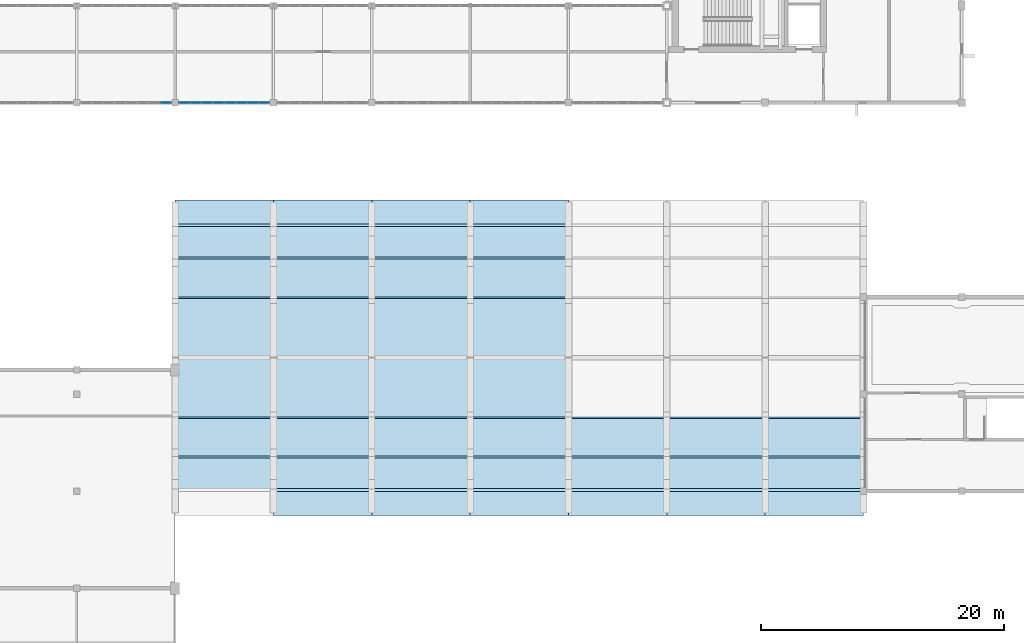
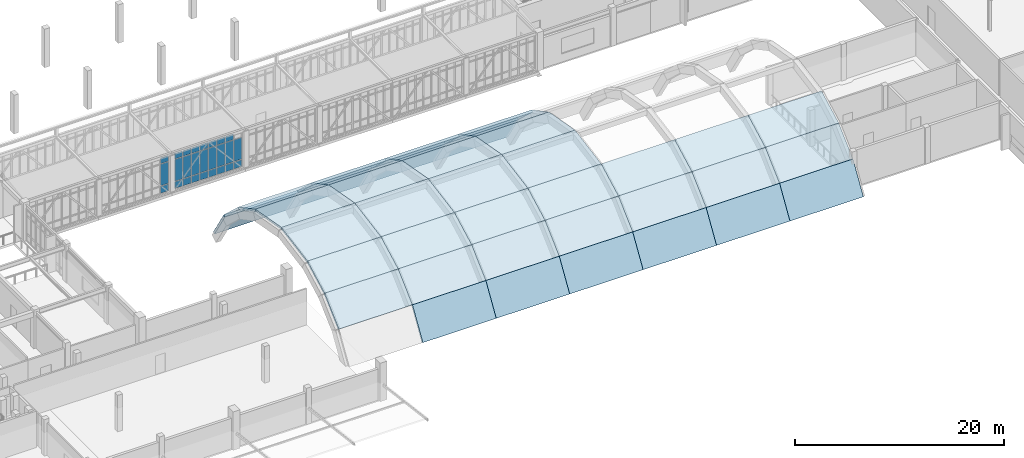
# One storey, part 36 of 67: 40 slabs, 26 plates, 2 elements without a shape of their own.
"""IFC4 building model written with IfcOpenShell, lengths in metres."""

from ifc_helpers import new_model, si_unit, direction, frame, origin, origin_2d, place, context, subcontext, project, spatial, polyline, rectangle, outline, extrude, material, layer, layer_set, type_object, element, aggregate, save


model = new_model("IFC4")

# Units and contexts
model_context = context("Model", 3, precision=1e-05, world=origin(), true_north=direction((0.0, 1.0)))
body_context = subcontext(model_context, "Body", "Model", "MODEL_VIEW")
ifc_project = project(units=[si_unit("LENGTHUNIT", "METRE"), si_unit("AREAUNIT", "SQUARE_METRE"), si_unit("VOLUMEUNIT", "CUBIC_METRE"), si_unit("PLANEANGLEUNIT", "RADIAN"), si_unit("MASSUNIT", "GRAM", prefix="KILO")], contexts=[model_context])

# Site, building, storey
site_placement = place(None, origin())
site = spatial("IfcSite", under=ifc_project, at=site_placement, CompositionType="ELEMENT")
building_placement = place(site_placement, origin())
building = spatial("IfcBuilding", under=site, at=building_placement, Name="Tarnveldt Square Police Headquarters", CompositionType="ELEMENT")
storey_placement = place(building_placement, frame((0.0, 0.0, 10.199951171875)))
storey = spatial("IfcBuildingStorey", under=building, at=storey_placement, Name="L02", CompositionType="ELEMENT", Elevation=10.199951171875)

# Curtain wall, plates
ifc_material_1 = material(Name="Triple-glazed low-e laminated vision glass", Category="glass")
curtain_wall_type = type_object("IfcCurtainWallType", Name="CW-SB-752x424", PredefinedType="USERDEFINED", material=ifc_material_1)
curtain_wall_1_placement = place(storey_placement, origin())
curtain_wall_1 = element("IfcCurtainWall", 1, at=curtain_wall_1_placement, inside=storey, type_object=curtain_wall_type, Name="L02 Curtain Wall CW-L02-139", ObjectType="GLAZED CURTAIN WALL", PredefinedType="USERDEFINED")
ifc_layer_1 = layer(ifc_material_1, 0.028076171875)
ifc_layer_set_1 = layer_set([ifc_layer_1], Name="Triple-glazed low-e laminated vision glass")
plate_type = type_object("IfcPlateType", Name="CWP-VIS-28", PredefinedType="CURTAIN_PANEL", material=ifc_layer_set_1)
plate_1_placement = place(storey_placement, frame((64.023681640625, 56.0, 0.06494140625), z_axis=(0.0, 0.0, 1.0), x_axis=(1.0, 0.0, 0.0)))
plate_1 = element("IfcPlate", 2, at=plate_1_placement, type_object=plate_type, Name="CW-SB86 panel 8.1", PredefinedType="CURTAIN_PANEL", context=body_context, shape_type="SweptSolid", body=[
    extrude(rectangle(XDim=0.842529296875, YDim=0.028076171875, at=origin_2d()), origin(), (0.0, 0.0, 1.0), 0.802490234375),
])
plate_2_placement = place(storey_placement, frame((64.023681640625, 56.0, 0.9326171875), z_axis=(0.0, 0.0, 1.0), x_axis=(1.0, 0.0, 0.0)))
plate_2 = element("IfcPlate", 3, at=plate_2_placement, type_object=plate_type, Name="CW-SB86 panel 8.2", PredefinedType="CURTAIN_PANEL", context=body_context, shape_type="SweptSolid", body=[
    extrude(rectangle(XDim=0.842529296875, YDim=0.028076171875, at=origin_2d()), origin(), (0.0, 0.0, 1.0), 2.52490234375),
])
plate_3_placement = place(storey_placement, frame((64.023681640625, 56.0, 3.5224609375), z_axis=(0.0, 0.0, 1.0), x_axis=(1.0, 0.0, 0.0)))
plate_3 = element("IfcPlate", 4, at=plate_3_placement, type_object=plate_type, Name="CW-SB86 panel 8.3", PredefinedType="CURTAIN_PANEL", context=body_context, shape_type="SweptSolid", body=[
    extrude(rectangle(XDim=0.842529296875, YDim=0.028076171875, at=origin_2d()), origin(), (0.0, 0.0, 1.0), 0.652587890625),
])
aggregate(curtain_wall_1, [plate_1, plate_2, plate_3])

curtain_wall_2_placement = place(storey_placement, origin())
curtain_wall_2 = element("IfcCurtainWall", 5, at=curtain_wall_2_placement, inside=storey, type_object=curtain_wall_type, Name="L02 Curtain Wall CW-L02-140", ObjectType="GLAZED CURTAIN WALL", PredefinedType="USERDEFINED")
plate_4_placement = place(storey_placement, frame((65.576171875, 56.0, 0.06494140625), z_axis=(0.0, 0.0, 1.0), x_axis=(1.0, 0.0, 0.0)))
plate_4 = element("IfcPlate", 6, at=plate_4_placement, type_object=plate_type, Name="CW-SB86 panel 1.1", PredefinedType="CURTAIN_PANEL", context=body_context, shape_type="SweptSolid", body=[
    extrude(rectangle(XDim=0.842529296875, YDim=0.028076171875, at=origin_2d()), origin(), (0.0, 0.0, 1.0), 0.802490234375),
])
plate_5_placement = place(storey_placement, frame((65.576171875, 56.0, 0.9326171875), z_axis=(0.0, 0.0, 1.0), x_axis=(1.0, 0.0, 0.0)))
plate_5 = element("IfcPlate", 7, at=plate_5_placement, type_object=plate_type, Name="CW-SB86 panel 1.2", PredefinedType="CURTAIN_PANEL", context=body_context, shape_type="SweptSolid", body=[
    extrude(rectangle(XDim=0.842529296875, YDim=0.028076171875, at=origin_2d()), origin(), (0.0, 0.0, 1.0), 2.52490234375),
])
plate_6_placement = place(storey_placement, frame((65.576171875, 56.0, 3.5224609375), z_axis=(0.0, 0.0, 1.0), x_axis=(1.0, 0.0, 0.0)))
plate_6 = element("IfcPlate", 8, at=plate_6_placement, type_object=plate_type, Name="CW-SB86 panel 1.3", PredefinedType="CURTAIN_PANEL", context=body_context, shape_type="SweptSolid", body=[
    extrude(rectangle(XDim=0.842529296875, YDim=0.028076171875, at=origin_2d()), origin(), (0.0, 0.0, 1.0), 0.652587890625),
])
plate_7_placement = place(storey_placement, frame((66.5, 56.0, 0.06494140625), z_axis=(0.0, 0.0, 1.0), x_axis=(1.0, 0.0, 0.0)))
plate_7 = element("IfcPlate", 9, at=plate_7_placement, type_object=plate_type, Name="CW-SB86 panel 2.1", PredefinedType="CURTAIN_PANEL", context=body_context, shape_type="SweptSolid", body=[
    extrude(rectangle(XDim=0.875, YDim=0.028076171875, at=origin_2d()), origin(), (0.0, 0.0, 1.0), 0.802490234375),
])
plate_8_placement = place(storey_placement, frame((66.5, 56.0, 0.9326171875), z_axis=(0.0, 0.0, 1.0), x_axis=(1.0, 0.0, 0.0)))
plate_8 = element("IfcPlate", 10, at=plate_8_placement, type_object=plate_type, Name="CW-SB86 panel 2.2", PredefinedType="CURTAIN_PANEL", context=body_context, shape_type="SweptSolid", body=[
    extrude(rectangle(XDim=0.875, YDim=0.028076171875, at=origin_2d()), origin(), (0.0, 0.0, 1.0), 2.52490234375),
])
plate_9_placement = place(storey_placement, frame((66.5, 56.0, 3.5224609375), z_axis=(0.0, 0.0, 1.0), x_axis=(1.0, 0.0, 0.0)))
plate_9 = element("IfcPlate", 11, at=plate_9_placement, type_object=plate_type, Name="CW-SB86 panel 2.3", PredefinedType="CURTAIN_PANEL", context=body_context, shape_type="SweptSolid", body=[
    extrude(rectangle(XDim=0.875, YDim=0.028076171875, at=origin_2d()), origin(), (0.0, 0.0, 1.0), 0.652587890625),
])
plate_10_placement = place(storey_placement, frame((67.43994140625, 56.0, 0.06494140625), z_axis=(0.0, 0.0, 1.0), x_axis=(1.0, 0.0, 0.0)))
plate_10 = element("IfcPlate", 12, at=plate_10_placement, type_object=plate_type, Name="CW-SB86 panel 3.1", PredefinedType="CURTAIN_PANEL", context=body_context, shape_type="SweptSolid", body=[
    extrude(rectangle(XDim=0.875, YDim=0.028076171875, at=origin_2d()), origin(), (0.0, 0.0, 1.0), 0.802490234375),
])
plate_11_placement = place(storey_placement, frame((67.43994140625, 56.0, 0.9326171875), z_axis=(0.0, 0.0, 1.0), x_axis=(1.0, 0.0, 0.0)))
plate_11 = element("IfcPlate", 13, at=plate_11_placement, type_object=plate_type, Name="CW-SB86 panel 3.2", PredefinedType="CURTAIN_PANEL", context=body_context, shape_type="SweptSolid", body=[
    extrude(rectangle(XDim=0.875, YDim=0.028076171875, at=origin_2d()), origin(), (0.0, 0.0, 1.0), 2.52490234375),
])
plate_12_placement = place(storey_placement, frame((67.43994140625, 56.0, 3.5224609375), z_axis=(0.0, 0.0, 1.0), x_axis=(1.0, 0.0, 0.0)))
plate_12 = element("IfcPlate", 14, at=plate_12_placement, type_object=plate_type, Name="CW-SB86 panel 3.3", PredefinedType="CURTAIN_PANEL", context=body_context, shape_type="SweptSolid", body=[
    extrude(rectangle(XDim=0.875, YDim=0.028076171875, at=origin_2d()), origin(), (0.0, 0.0, 1.0), 0.652587890625),
])
plate_13_placement = place(storey_placement, frame((68.3798828125, 56.0, 0.06494140625), z_axis=(0.0, 0.0, 1.0), x_axis=(1.0, 0.0, 0.0)))
plate_13 = element("IfcPlate", 15, at=plate_13_placement, type_object=plate_type, Name="CW-SB86 panel 4.1", PredefinedType="CURTAIN_PANEL", context=body_context, shape_type="SweptSolid", body=[
    extrude(rectangle(XDim=0.875, YDim=0.028076171875, at=origin_2d()), origin(), (0.0, 0.0, 1.0), 0.802490234375),
])
plate_14_placement = place(storey_placement, frame((68.3798828125, 56.0, 0.9326171875), z_axis=(0.0, 0.0, 1.0), x_axis=(1.0, 0.0, 0.0)))
plate_14 = element("IfcPlate", 16, at=plate_14_placement, type_object=plate_type, Name="CW-SB86 panel 4.2", PredefinedType="CURTAIN_PANEL", context=body_context, shape_type="SweptSolid", body=[
    extrude(rectangle(XDim=0.875, YDim=0.028076171875, at=origin_2d()), origin(), (0.0, 0.0, 1.0), 2.52490234375),
])
plate_15_placement = place(storey_placement, frame((68.3798828125, 56.0, 3.5224609375), z_axis=(0.0, 0.0, 1.0), x_axis=(1.0, 0.0, 0.0)))
plate_15 = element("IfcPlate", 17, at=plate_15_placement, type_object=plate_type, Name="CW-SB86 panel 4.3", PredefinedType="CURTAIN_PANEL", context=body_context, shape_type="SweptSolid", body=[
    extrude(rectangle(XDim=0.875, YDim=0.028076171875, at=origin_2d()), origin(), (0.0, 0.0, 1.0), 0.652587890625),
])
plate_16_placement = place(storey_placement, frame((69.320068359375, 56.0, 0.06494140625), z_axis=(0.0, 0.0, 1.0), x_axis=(1.0, 0.0, 0.0)))
plate_16 = element("IfcPlate", 18, at=plate_16_placement, type_object=plate_type, Name="CW-SB86 panel 5.1", PredefinedType="CURTAIN_PANEL", context=body_context, shape_type="SweptSolid", body=[
    extrude(rectangle(XDim=0.875, YDim=0.028076171875, at=origin_2d()), origin(), (0.0, 0.0, 1.0), 0.802490234375),
])
plate_17_placement = place(storey_placement, frame((69.320068359375, 56.0, 0.9326171875), z_axis=(0.0, 0.0, 1.0), x_axis=(1.0, 0.0, 0.0)))
plate_17 = element("IfcPlate", 19, at=plate_17_placement, type_object=plate_type, Name="CW-SB86 panel 5.2", PredefinedType="CURTAIN_PANEL", context=body_context, shape_type="SweptSolid", body=[
    extrude(rectangle(XDim=0.875, YDim=0.028076171875, at=origin_2d()), origin(), (0.0, 0.0, 1.0), 2.52490234375),
])
plate_18_placement = place(storey_placement, frame((69.320068359375, 56.0, 3.5224609375), z_axis=(0.0, 0.0, 1.0), x_axis=(1.0, 0.0, 0.0)))
plate_18 = element("IfcPlate", 20, at=plate_18_placement, type_object=plate_type, Name="CW-SB86 panel 5.3", PredefinedType="CURTAIN_PANEL", context=body_context, shape_type="SweptSolid", body=[
    extrude(rectangle(XDim=0.875, YDim=0.028076171875, at=origin_2d()), origin(), (0.0, 0.0, 1.0), 0.652587890625),
])
plate_19_placement = place(storey_placement, frame((70.260009765625, 56.0, 0.06494140625), z_axis=(0.0, 0.0, 1.0), x_axis=(1.0, 0.0, 0.0)))
plate_19 = element("IfcPlate", 21, at=plate_19_placement, type_object=plate_type, Name="CW-SB86 panel 6.1", PredefinedType="CURTAIN_PANEL", context=body_context, shape_type="SweptSolid", body=[
    extrude(rectangle(XDim=0.875, YDim=0.028076171875, at=origin_2d()), origin(), (0.0, 0.0, 1.0), 0.802490234375),
])
plate_20_placement = place(storey_placement, frame((70.260009765625, 56.0, 0.9326171875), z_axis=(0.0, 0.0, 1.0), x_axis=(1.0, 0.0, 0.0)))
plate_20 = element("IfcPlate", 22, at=plate_20_placement, type_object=plate_type, Name="CW-SB86 panel 6.2", PredefinedType="CURTAIN_PANEL", context=body_context, shape_type="SweptSolid", body=[
    extrude(rectangle(XDim=0.875, YDim=0.028076171875, at=origin_2d()), origin(), (0.0, 0.0, 1.0), 2.52490234375),
])
plate_21_placement = place(storey_placement, frame((70.260009765625, 56.0, 3.5224609375), z_axis=(0.0, 0.0, 1.0), x_axis=(1.0, 0.0, 0.0)))
plate_21 = element("IfcPlate", 23, at=plate_21_placement, type_object=plate_type, Name="CW-SB86 panel 6.3", PredefinedType="CURTAIN_PANEL", context=body_context, shape_type="SweptSolid", body=[
    extrude(rectangle(XDim=0.875, YDim=0.028076171875, at=origin_2d()), origin(), (0.0, 0.0, 1.0), 0.652587890625),
])
plate_22_placement = place(storey_placement, frame((71.199951171875, 56.0, 0.06494140625), z_axis=(0.0, 0.0, 1.0), x_axis=(1.0, 0.0, 0.0)))
plate_22 = element("IfcPlate", 24, at=plate_22_placement, type_object=plate_type, Name="CW-SB86 panel 7.1", PredefinedType="CURTAIN_PANEL", context=body_context, shape_type="SweptSolid", body=[
    extrude(rectangle(XDim=0.875, YDim=0.028076171875, at=origin_2d()), origin(), (0.0, 0.0, 1.0), 0.802490234375),
])
plate_23_placement = place(storey_placement, frame((71.199951171875, 56.0, 0.9326171875), z_axis=(0.0, 0.0, 1.0), x_axis=(1.0, 0.0, 0.0)))
plate_23 = element("IfcPlate", 25, at=plate_23_placement, type_object=plate_type, Name="CW-SB86 panel 7.2", PredefinedType="CURTAIN_PANEL", context=body_context, shape_type="SweptSolid", body=[
    extrude(rectangle(XDim=0.875, YDim=0.028076171875, at=origin_2d()), origin(), (0.0, 0.0, 1.0), 2.52490234375),
])
plate_24_placement = place(storey_placement, frame((71.199951171875, 56.0, 3.5224609375), z_axis=(0.0, 0.0, 1.0), x_axis=(1.0, 0.0, 0.0)))
plate_24 = element("IfcPlate", 26, at=plate_24_placement, type_object=plate_type, Name="CW-SB86 panel 7.3", PredefinedType="CURTAIN_PANEL", context=body_context, shape_type="SweptSolid", body=[
    extrude(rectangle(XDim=0.875, YDim=0.028076171875, at=origin_2d()), origin(), (0.0, 0.0, 1.0), 0.652587890625),
])
plate_25_placement = place(storey_placement, frame((72.123779296875, 56.0, 0.06494140625), z_axis=(0.0, 0.0, 1.0), x_axis=(1.0, 0.0, 0.0)))
plate_25 = element("IfcPlate", 27, at=plate_25_placement, type_object=plate_type, Name="CW-SB86 panel 8.1", PredefinedType="CURTAIN_PANEL", context=body_context, shape_type="SweptSolid", body=[
    extrude(rectangle(XDim=0.842529296875, YDim=0.028076171875, at=origin_2d()), origin(), (0.0, 0.0, 1.0), 0.802490234375),
])
plate_26_placement = place(storey_placement, frame((72.123779296875, 56.0, 0.9326171875), z_axis=(0.0, 0.0, 1.0), x_axis=(1.0, 0.0, 0.0)))
plate_26 = element("IfcPlate", 28, at=plate_26_placement, type_object=plate_type, Name="CW-SB86 panel 8.2", PredefinedType="CURTAIN_PANEL", context=body_context, shape_type="SweptSolid", body=[
    extrude(rectangle(XDim=0.842529296875, YDim=0.028076171875, at=origin_2d()), origin(), (0.0, 0.0, 1.0), 2.52490234375),
])
aggregate(curtain_wall_2, [plate_4, plate_5, plate_6, plate_7, plate_8, plate_9, plate_10, plate_11, plate_12, plate_13, plate_14, plate_15, plate_16, plate_17, plate_18, plate_19, plate_20, plate_21, plate_22, plate_23, plate_24, plate_25, plate_26])

# Slabs
ifc_material_2 = material(Name="Concrete 40 MPa", Category="concrete")
ifc_layer_2 = layer(ifc_material_2, 0.25)
ifc_layer_set_2 = layer_set([ifc_layer_2], Name="Concrete 40 MPa")
slab_type = type_object("IfcSlabType", Name="SL-VAULT-250", PredefinedType="ROOF", material=ifc_layer_set_2)
slab_1_placement = place(storey_placement, frame((64.800048828125, 23.9970703125, 3.210693359375), z_axis=(0.0, -0.682016751345, 0.731336551038), x_axis=(1.0, 0.0, 0.0)))
element("IfcSlab", 29, at=slab_1_placement, inside=storey, type_object=slab_type, Name="Public Entrance Hall Barrel Vault Roof Shell B1.F2", PredefinedType="ROOF", context=body_context, shape_type="SweptSolid", body=[
    extrude(outline(polyline([(0.0, 0.0), (8.099853515625, 0.0), (8.099853515625, 3.7225161322915987), (0.0, 3.7225161322915987), (0.0, 0.0)])), origin(), (0.0, 0.0, -1.0), 0.25),
])
slab_2_placement = place(storey_placement, frame((64.800048828125, 26.719482421875, 5.74951171875), z_axis=(0.0, -0.469478088811, 0.882944122879), x_axis=(1.0, 0.0, 0.0)))
element("IfcSlab", 30, at=slab_2_placement, inside=storey, type_object=slab_type, Name="Public Entrance Hall Barrel Vault Roof Shell B1.F3", PredefinedType="ROOF", context=body_context, shape_type="SweptSolid", body=[
    extrude(outline(polyline([(0.0, 0.0), (8.099853515625, 0.0), (8.099853515625, 3.722343247535338), (0.0, 3.722343247535338), (0.0, 0.0)])), origin(), (0.0, 0.0, -1.0), 0.25),
])
for number, where, z_axis, x_axis, name in (
    (31, (64.800048828125, 30.006103515625, 7.4970703125), (0.0, -0.177949762031, 0.984039573489), (1.0, 0.0, 0.0), "Public Entrance Hall Barrel Vault Roof Shell B1.F4"),
    (32, (64.800048828125, 35.0, 8.400146484375), (0.0, 0.177949762031, 0.984039573489), (1.0, 0.0, 0.0), "Public Entrance Hall Barrel Vault Roof Shell B1.F5"),
):
    element("IfcSlab", number, at=place(storey_placement, frame(where, z_axis=z_axis, x_axis=x_axis)), inside=storey, type_object=slab_type, Name=name, PredefinedType="ROOF", context=body_context, shape_type="SweptSolid", body=[
        extrude(outline(polyline([(0.0, 0.0), (8.099853515625, 0.0), (8.099853515625, 5.074893956415384), (0.0, 5.074893956415384), (0.0, 0.0)])), origin(), (0.0, 0.0, -1.0), 0.25),
    ])
slab_3_placement = place(storey_placement, frame((64.800048828125, 39.993896484375, 7.4970703125), z_axis=(0.0, 0.469478088811, 0.882944122879), x_axis=(1.0, 0.0, 0.0)))
element("IfcSlab", 33, at=slab_3_placement, inside=storey, type_object=slab_type, Name="Public Entrance Hall Barrel Vault Roof Shell B1.F6", PredefinedType="ROOF", context=body_context, shape_type="SweptSolid", body=[
    extrude(outline(polyline([(0.0, 0.0), (8.099853515625, 0.0), (8.099853515625, 3.722343247535338), (0.0, 3.722343247535338), (0.0, 0.0)])), origin(), (0.0, 0.0, -1.0), 0.25),
])
slab_4_placement = place(storey_placement, frame((64.800048828125, 43.280517578125, 5.74951171875), z_axis=(0.0, 0.682016751345, 0.731336551038), x_axis=(1.0, 0.0, 0.0)))
element("IfcSlab", 34, at=slab_4_placement, inside=storey, type_object=slab_type, Name="Public Entrance Hall Barrel Vault Roof Shell B1.F7", PredefinedType="ROOF", context=body_context, shape_type="SweptSolid", body=[
    extrude(outline(polyline([(0.0, 0.0), (8.099853515625, 0.0), (8.099853515625, 3.7225161322915987), (0.0, 3.7225161322915987), (0.0, 0.0)])), origin(), (0.0, 0.0, -1.0), 0.25),
])
slab_5_placement = place(storey_placement, frame((64.800048828125, 46.0029296875, 3.210693359375), z_axis=(0.0, 0.849138976196, 0.528169479529), x_axis=(1.0, 0.0, 0.0)))
element("IfcSlab", 35, at=slab_5_placement, inside=storey, type_object=slab_type, Name="Public Entrance Hall Barrel Vault Roof Shell B1.F8", PredefinedType="ROOF", context=body_context, shape_type="SweptSolid", body=[
    extrude(outline(polyline([(0.0, 0.0), (8.099853515625, 0.0), (8.099853515625, 3.781116459592797), (0.0, 3.781116459592797), (0.0, 0.0)])), origin(), (0.0, 0.0, -1.0), 0.25),
])
slab_6_placement = place(storey_placement, frame((72.89990234375, 22.0, 0.0), z_axis=(0.0, -0.849138976196, 0.528169479529), x_axis=(1.0, 0.0, 0.0)))
element("IfcSlab", 36, at=slab_6_placement, inside=storey, type_object=slab_type, Name="Public Entrance Hall Barrel Vault Roof Shell B2.F1", PredefinedType="ROOF", context=body_context, shape_type="SweptSolid", body=[
    extrude(outline(polyline([(0.0, 0.0), (8.10009765625, 0.0), (8.10009765625, 3.781116459592797), (0.0, 3.781116459592797), (0.0, 0.0)])), origin(), (0.0, 0.0, -1.0), 0.25),
])
slab_7_placement = place(storey_placement, frame((72.89990234375, 23.9970703125, 3.210693359375), z_axis=(0.0, -0.682016751345, 0.731336551038), x_axis=(1.0, 0.0, 0.0)))
element("IfcSlab", 37, at=slab_7_placement, inside=storey, type_object=slab_type, Name="Public Entrance Hall Barrel Vault Roof Shell B2.F2", PredefinedType="ROOF", context=body_context, shape_type="SweptSolid", body=[
    extrude(outline(polyline([(0.0, 0.0), (8.10009765625, 0.0), (8.10009765625, 3.7225161322915987), (0.0, 3.7225161322915987), (0.0, 0.0)])), origin(), (0.0, 0.0, -1.0), 0.25),
])
slab_8_placement = place(storey_placement, frame((72.89990234375, 26.719482421875, 5.74951171875), z_axis=(0.0, -0.469478088811, 0.882944122879), x_axis=(1.0, 0.0, 0.0)))
element("IfcSlab", 38, at=slab_8_placement, inside=storey, type_object=slab_type, Name="Public Entrance Hall Barrel Vault Roof Shell B2.F3", PredefinedType="ROOF", context=body_context, shape_type="SweptSolid", body=[
    extrude(outline(polyline([(0.0, 0.0), (8.10009765625, 0.0), (8.10009765625, 3.722343247535338), (0.0, 3.722343247535338), (0.0, 0.0)])), origin(), (0.0, 0.0, -1.0), 0.25),
])
for number, where, z_axis, x_axis, name in (
    (39, (72.89990234375, 30.006103515625, 7.4970703125), (0.0, -0.177949762031, 0.984039573489), (1.0, 0.0, 0.0), "Public Entrance Hall Barrel Vault Roof Shell B2.F4"),
    (40, (72.89990234375, 35.0, 8.400146484375), (0.0, 0.177949762031, 0.984039573489), (1.0, 0.0, 0.0), "Public Entrance Hall Barrel Vault Roof Shell B2.F5"),
):
    element("IfcSlab", number, at=place(storey_placement, frame(where, z_axis=z_axis, x_axis=x_axis)), inside=storey, type_object=slab_type, Name=name, PredefinedType="ROOF", context=body_context, shape_type="SweptSolid", body=[
        extrude(outline(polyline([(0.0, 0.0), (8.10009765625, 0.0), (8.10009765625, 5.074893956415384), (0.0, 5.074893956415384), (0.0, 0.0)])), origin(), (0.0, 0.0, -1.0), 0.25),
    ])
slab_9_placement = place(storey_placement, frame((72.89990234375, 39.993896484375, 7.4970703125), z_axis=(0.0, 0.469478088811, 0.882944122879), x_axis=(1.0, 0.0, 0.0)))
element("IfcSlab", 41, at=slab_9_placement, inside=storey, type_object=slab_type, Name="Public Entrance Hall Barrel Vault Roof Shell B2.F6", PredefinedType="ROOF", context=body_context, shape_type="SweptSolid", body=[
    extrude(outline(polyline([(0.0, 0.0), (8.10009765625, 0.0), (8.10009765625, 3.722343247535338), (0.0, 3.722343247535338), (0.0, 0.0)])), origin(), (0.0, 0.0, -1.0), 0.25),
])
slab_10_placement = place(storey_placement, frame((72.89990234375, 43.280517578125, 5.74951171875), z_axis=(0.0, 0.682016751345, 0.731336551038), x_axis=(1.0, 0.0, 0.0)))
element("IfcSlab", 42, at=slab_10_placement, inside=storey, type_object=slab_type, Name="Public Entrance Hall Barrel Vault Roof Shell B2.F7", PredefinedType="ROOF", context=body_context, shape_type="SweptSolid", body=[
    extrude(outline(polyline([(0.0, 0.0), (8.10009765625, 0.0), (8.10009765625, 3.7225161322915987), (0.0, 3.7225161322915987), (0.0, 0.0)])), origin(), (0.0, 0.0, -1.0), 0.25),
])
for number, where, z_axis, x_axis, name in (
    (43, (72.89990234375, 46.0029296875, 3.210693359375), (0.0, 0.849138976196, 0.528169479529), (1.0, 0.0, 0.0), "Public Entrance Hall Barrel Vault Roof Shell B2.F8"),
    (44, (81.0, 22.0, 0.0), (0.0, -0.849138976196, 0.528169479529), (1.0, 0.0, 0.0), "Public Entrance Hall Barrel Vault Roof Shell B3.F1"),
):
    element("IfcSlab", number, at=place(storey_placement, frame(where, z_axis=z_axis, x_axis=x_axis)), inside=storey, type_object=slab_type, Name=name, PredefinedType="ROOF", context=body_context, shape_type="SweptSolid", body=[
        extrude(outline(polyline([(0.0, 0.0), (8.10009765625, 0.0), (8.10009765625, 3.781116459592797), (0.0, 3.781116459592797), (0.0, 0.0)])), origin(), (0.0, 0.0, -1.0), 0.25),
    ])
slab_11_placement = place(storey_placement, frame((81.0, 23.9970703125, 3.210693359375), z_axis=(0.0, -0.682016751345, 0.731336551038), x_axis=(1.0, 0.0, 0.0)))
element("IfcSlab", 45, at=slab_11_placement, inside=storey, type_object=slab_type, Name="Public Entrance Hall Barrel Vault Roof Shell B3.F2", PredefinedType="ROOF", context=body_context, shape_type="SweptSolid", body=[
    extrude(outline(polyline([(0.0, 0.0), (8.10009765625, 0.0), (8.10009765625, 3.7225161322915987), (0.0, 3.7225161322915987), (0.0, 0.0)])), origin(), (0.0, 0.0, -1.0), 0.25),
])
slab_12_placement = place(storey_placement, frame((81.0, 26.719482421875, 5.74951171875), z_axis=(0.0, -0.469478088811, 0.882944122879), x_axis=(1.0, 0.0, 0.0)))
element("IfcSlab", 46, at=slab_12_placement, inside=storey, type_object=slab_type, Name="Public Entrance Hall Barrel Vault Roof Shell B3.F3", PredefinedType="ROOF", context=body_context, shape_type="SweptSolid", body=[
    extrude(outline(polyline([(0.0, 0.0), (8.10009765625, 0.0), (8.10009765625, 3.722343247535338), (0.0, 3.722343247535338), (0.0, 0.0)])), origin(), (0.0, 0.0, -1.0), 0.25),
])
for number, where, z_axis, x_axis, name in (
    (47, (81.0, 30.006103515625, 7.4970703125), (0.0, -0.177949762031, 0.984039573489), (1.0, 0.0, 0.0), "Public Entrance Hall Barrel Vault Roof Shell B3.F4"),
    (48, (81.0, 35.0, 8.400146484375), (0.0, 0.177949762031, 0.984039573489), (1.0, 0.0, 0.0), "Public Entrance Hall Barrel Vault Roof Shell B3.F5"),
):
    element("IfcSlab", number, at=place(storey_placement, frame(where, z_axis=z_axis, x_axis=x_axis)), inside=storey, type_object=slab_type, Name=name, PredefinedType="ROOF", context=body_context, shape_type="SweptSolid", body=[
        extrude(outline(polyline([(0.0, 0.0), (8.10009765625, 0.0), (8.10009765625, 5.074893956415384), (0.0, 5.074893956415384), (0.0, 0.0)])), origin(), (0.0, 0.0, -1.0), 0.25),
    ])
slab_13_placement = place(storey_placement, frame((81.0, 39.993896484375, 7.4970703125), z_axis=(0.0, 0.469478088811, 0.882944122879), x_axis=(1.0, 0.0, 0.0)))
element("IfcSlab", 49, at=slab_13_placement, inside=storey, type_object=slab_type, Name="Public Entrance Hall Barrel Vault Roof Shell B3.F6", PredefinedType="ROOF", context=body_context, shape_type="SweptSolid", body=[
    extrude(outline(polyline([(0.0, 0.0), (8.10009765625, 0.0), (8.10009765625, 3.722343247535338), (0.0, 3.722343247535338), (0.0, 0.0)])), origin(), (0.0, 0.0, -1.0), 0.25),
])
slab_14_placement = place(storey_placement, frame((81.0, 43.280517578125, 5.74951171875), z_axis=(0.0, 0.682016751345, 0.731336551038), x_axis=(1.0, 0.0, 0.0)))
element("IfcSlab", 50, at=slab_14_placement, inside=storey, type_object=slab_type, Name="Public Entrance Hall Barrel Vault Roof Shell B3.F7", PredefinedType="ROOF", context=body_context, shape_type="SweptSolid", body=[
    extrude(outline(polyline([(0.0, 0.0), (8.10009765625, 0.0), (8.10009765625, 3.7225161322915987), (0.0, 3.7225161322915987), (0.0, 0.0)])), origin(), (0.0, 0.0, -1.0), 0.25),
])
slab_15_placement = place(storey_placement, frame((81.0, 46.0029296875, 3.210693359375), z_axis=(0.0, 0.849138976196, 0.528169479529), x_axis=(1.0, 0.0, 0.0)))
element("IfcSlab", 51, at=slab_15_placement, inside=storey, type_object=slab_type, Name="Public Entrance Hall Barrel Vault Roof Shell B3.F8", PredefinedType="ROOF", context=body_context, shape_type="SweptSolid", body=[
    extrude(outline(polyline([(0.0, 0.0), (8.10009765625, 0.0), (8.10009765625, 3.781116459592797), (0.0, 3.781116459592797), (0.0, 0.0)])), origin(), (0.0, 0.0, -1.0), 0.25),
])
slab_16_placement = place(storey_placement, frame((89.10009765625, 22.0, 0.0), z_axis=(0.0, -0.849138976196, 0.528169479529), x_axis=(1.0, 0.0, 0.0)))
element("IfcSlab", 52, at=slab_16_placement, inside=storey, type_object=slab_type, Name="Public Entrance Hall Barrel Vault Roof Shell B4.F1", PredefinedType="ROOF", context=body_context, shape_type="SweptSolid", body=[
    extrude(outline(polyline([(0.0, 0.0), (8.099853515625, 0.0), (8.099853515625, 3.781116459592797), (0.0, 3.781116459592797), (0.0, 0.0)])), origin(), (0.0, 0.0, -1.0), 0.25),
])
slab_17_placement = place(storey_placement, frame((89.10009765625, 23.9970703125, 3.210693359375), z_axis=(0.0, -0.682016751345, 0.731336551038), x_axis=(1.0, 0.0, 0.0)))
element("IfcSlab", 53, at=slab_17_placement, inside=storey, type_object=slab_type, Name="Public Entrance Hall Barrel Vault Roof Shell B4.F2", PredefinedType="ROOF", context=body_context, shape_type="SweptSolid", body=[
    extrude(outline(polyline([(0.0, 0.0), (8.099853515625, 0.0), (8.099853515625, 3.7225161322915987), (0.0, 3.7225161322915987), (0.0, 0.0)])), origin(), (0.0, 0.0, -1.0), 0.25),
])
slab_18_placement = place(storey_placement, frame((89.10009765625, 26.719482421875, 5.74951171875), z_axis=(0.0, -0.469478088811, 0.882944122879), x_axis=(1.0, 0.0, 0.0)))
element("IfcSlab", 54, at=slab_18_placement, inside=storey, type_object=slab_type, Name="Public Entrance Hall Barrel Vault Roof Shell B4.F3", PredefinedType="ROOF", context=body_context, shape_type="SweptSolid", body=[
    extrude(outline(polyline([(0.0, 0.0), (8.099853515625, 0.0), (8.099853515625, 3.722343247535338), (0.0, 3.722343247535338), (0.0, 0.0)])), origin(), (0.0, 0.0, -1.0), 0.25),
])
for number, where, z_axis, x_axis, name in (
    (55, (89.10009765625, 30.006103515625, 7.4970703125), (0.0, -0.177949762031, 0.984039573489), (1.0, 0.0, 0.0), "Public Entrance Hall Barrel Vault Roof Shell B4.F4"),
    (56, (89.10009765625, 35.0, 8.400146484375), (0.0, 0.177949762031, 0.984039573489), (1.0, 0.0, 0.0), "Public Entrance Hall Barrel Vault Roof Shell B4.F5"),
):
    element("IfcSlab", number, at=place(storey_placement, frame(where, z_axis=z_axis, x_axis=x_axis)), inside=storey, type_object=slab_type, Name=name, PredefinedType="ROOF", context=body_context, shape_type="SweptSolid", body=[
        extrude(outline(polyline([(0.0, 0.0), (8.099853515625, 0.0), (8.099853515625, 5.074893956415384), (0.0, 5.074893956415384), (0.0, 0.0)])), origin(), (0.0, 0.0, -1.0), 0.25),
    ])
slab_19_placement = place(storey_placement, frame((89.10009765625, 39.993896484375, 7.4970703125), z_axis=(0.0, 0.469478088811, 0.882944122879), x_axis=(1.0, 0.0, 0.0)))
element("IfcSlab", 57, at=slab_19_placement, inside=storey, type_object=slab_type, Name="Public Entrance Hall Barrel Vault Roof Shell B4.F6", PredefinedType="ROOF", context=body_context, shape_type="SweptSolid", body=[
    extrude(outline(polyline([(0.0, 0.0), (8.099853515625, 0.0), (8.099853515625, 3.722343247535338), (0.0, 3.722343247535338), (0.0, 0.0)])), origin(), (0.0, 0.0, -1.0), 0.25),
])
slab_20_placement = place(storey_placement, frame((89.10009765625, 43.280517578125, 5.74951171875), z_axis=(0.0, 0.682016751345, 0.731336551038), x_axis=(1.0, 0.0, 0.0)))
element("IfcSlab", 58, at=slab_20_placement, inside=storey, type_object=slab_type, Name="Public Entrance Hall Barrel Vault Roof Shell B4.F7", PredefinedType="ROOF", context=body_context, shape_type="SweptSolid", body=[
    extrude(outline(polyline([(0.0, 0.0), (8.099853515625, 0.0), (8.099853515625, 3.7225161322915987), (0.0, 3.7225161322915987), (0.0, 0.0)])), origin(), (0.0, 0.0, -1.0), 0.25),
])
slab_21_placement = place(storey_placement, frame((89.10009765625, 46.0029296875, 3.210693359375), z_axis=(0.0, 0.849138976196, 0.528169479529), x_axis=(1.0, 0.0, 0.0)))
element("IfcSlab", 59, at=slab_21_placement, inside=storey, type_object=slab_type, Name="Public Entrance Hall Barrel Vault Roof Shell B4.F8", PredefinedType="ROOF", context=body_context, shape_type="SweptSolid", body=[
    extrude(outline(polyline([(0.0, 0.0), (8.099853515625, 0.0), (8.099853515625, 3.781116459592797), (0.0, 3.781116459592797), (0.0, 0.0)])), origin(), (0.0, 0.0, -1.0), 0.25),
])
slab_22_placement = place(storey_placement, frame((97.199951171875, 22.0, 0.0), z_axis=(0.0, -0.849138976196, 0.528169479529), x_axis=(1.0, 0.0, 0.0)))
element("IfcSlab", 60, at=slab_22_placement, inside=storey, type_object=slab_type, Name="Public Entrance Hall Barrel Vault Roof Shell B5.F1", PredefinedType="ROOF", context=body_context, shape_type="SweptSolid", body=[
    extrude(outline(polyline([(0.0, 0.0), (8.10009765625, 0.0), (8.10009765625, 3.781116459592797), (0.0, 3.781116459592797), (0.0, 0.0)])), origin(), (0.0, 0.0, -1.0), 0.25),
])
slab_23_placement = place(storey_placement, frame((97.199951171875, 23.9970703125, 3.210693359375), z_axis=(0.0, -0.682016751345, 0.731336551038), x_axis=(1.0, 0.0, 0.0)))
element("IfcSlab", 61, at=slab_23_placement, inside=storey, type_object=slab_type, Name="Public Entrance Hall Barrel Vault Roof Shell B5.F2", PredefinedType="ROOF", context=body_context, shape_type="SweptSolid", body=[
    extrude(outline(polyline([(0.0, 0.0), (8.10009765625, 0.0), (8.10009765625, 3.7225161322915987), (0.0, 3.7225161322915987), (0.0, 0.0)])), origin(), (0.0, 0.0, -1.0), 0.25),
])
slab_24_placement = place(storey_placement, frame((97.199951171875, 26.719482421875, 5.74951171875), z_axis=(0.0, -0.469478088811, 0.882944122879), x_axis=(1.0, 0.0, 0.0)))
element("IfcSlab", 62, at=slab_24_placement, inside=storey, type_object=slab_type, Name="Public Entrance Hall Barrel Vault Roof Shell B5.F3", PredefinedType="ROOF", context=body_context, shape_type="SweptSolid", body=[
    extrude(outline(polyline([(0.0, 0.0), (8.10009765625, 0.0), (8.10009765625, 3.722343247535338), (0.0, 3.722343247535338), (0.0, 0.0)])), origin(), (0.0, 0.0, -1.0), 0.25),
])
slab_25_placement = place(storey_placement, frame((105.300048828125, 22.0, 0.0), z_axis=(0.0, -0.849138976196, 0.528169479529), x_axis=(1.0, 0.0, 0.0)))
element("IfcSlab", 63, at=slab_25_placement, inside=storey, type_object=slab_type, Name="Public Entrance Hall Barrel Vault Roof Shell B6.F1", PredefinedType="ROOF", context=body_context, shape_type="SweptSolid", body=[
    extrude(outline(polyline([(0.0, 0.0), (8.099853515625, 0.0), (8.099853515625, 3.781116459592797), (0.0, 3.781116459592797), (0.0, 0.0)])), origin(), (0.0, 0.0, -1.0), 0.25),
])
slab_26_placement = place(storey_placement, frame((105.300048828125, 23.9970703125, 3.210693359375), z_axis=(0.0, -0.682016751345, 0.731336551038), x_axis=(1.0, 0.0, 0.0)))
element("IfcSlab", 64, at=slab_26_placement, inside=storey, type_object=slab_type, Name="Public Entrance Hall Barrel Vault Roof Shell B6.F2", PredefinedType="ROOF", context=body_context, shape_type="SweptSolid", body=[
    extrude(outline(polyline([(0.0, 0.0), (8.099853515625, 0.0), (8.099853515625, 3.7225161322915987), (0.0, 3.7225161322915987), (0.0, 0.0)])), origin(), (0.0, 0.0, -1.0), 0.25),
])
slab_27_placement = place(storey_placement, frame((105.300048828125, 26.719482421875, 5.74951171875), z_axis=(0.0, -0.469478088811, 0.882944122879), x_axis=(1.0, 0.0, 0.0)))
element("IfcSlab", 65, at=slab_27_placement, inside=storey, type_object=slab_type, Name="Public Entrance Hall Barrel Vault Roof Shell B6.F3", PredefinedType="ROOF", context=body_context, shape_type="SweptSolid", body=[
    extrude(outline(polyline([(0.0, 0.0), (8.099853515625, 0.0), (8.099853515625, 3.722343247535338), (0.0, 3.722343247535338), (0.0, 0.0)])), origin(), (0.0, 0.0, -1.0), 0.25),
])
slab_28_placement = place(storey_placement, frame((113.39990234375, 22.0, 0.0), z_axis=(0.0, -0.849138976196, 0.528169479529), x_axis=(1.0, 0.0, 0.0)))
element("IfcSlab", 66, at=slab_28_placement, inside=storey, type_object=slab_type, Name="Public Entrance Hall Barrel Vault Roof Shell B7.F1", PredefinedType="ROOF", context=body_context, shape_type="SweptSolid", body=[
    extrude(outline(polyline([(0.0, 0.0), (8.10009765625, 0.0), (8.10009765625, 3.781116459592797), (0.0, 3.781116459592797), (0.0, 0.0)])), origin(), (0.0, 0.0, -1.0), 0.25),
])
slab_29_placement = place(storey_placement, frame((113.39990234375, 23.9970703125, 3.210693359375), z_axis=(0.0, -0.682016751345, 0.731336551038), x_axis=(1.0, 0.0, 0.0)))
element("IfcSlab", 67, at=slab_29_placement, inside=storey, type_object=slab_type, Name="Public Entrance Hall Barrel Vault Roof Shell B7.F2", PredefinedType="ROOF", context=body_context, shape_type="SweptSolid", body=[
    extrude(outline(polyline([(0.0, 0.0), (8.10009765625, 0.0), (8.10009765625, 3.7225161322915987), (0.0, 3.7225161322915987), (0.0, 0.0)])), origin(), (0.0, 0.0, -1.0), 0.25),
])
slab_30_placement = place(storey_placement, frame((113.39990234375, 26.719482421875, 5.74951171875), z_axis=(0.0, -0.469478088811, 0.882944122879), x_axis=(1.0, 0.0, 0.0)))
element("IfcSlab", 68, at=slab_30_placement, inside=storey, type_object=slab_type, Name="Public Entrance Hall Barrel Vault Roof Shell B7.F3", PredefinedType="ROOF", context=body_context, shape_type="SweptSolid", body=[
    extrude(outline(polyline([(0.0, 0.0), (8.10009765625, 0.0), (8.10009765625, 3.722343247535338), (0.0, 3.722343247535338), (0.0, 0.0)])), origin(), (0.0, 0.0, -1.0), 0.25),
])

save(model, "model.ifc")
